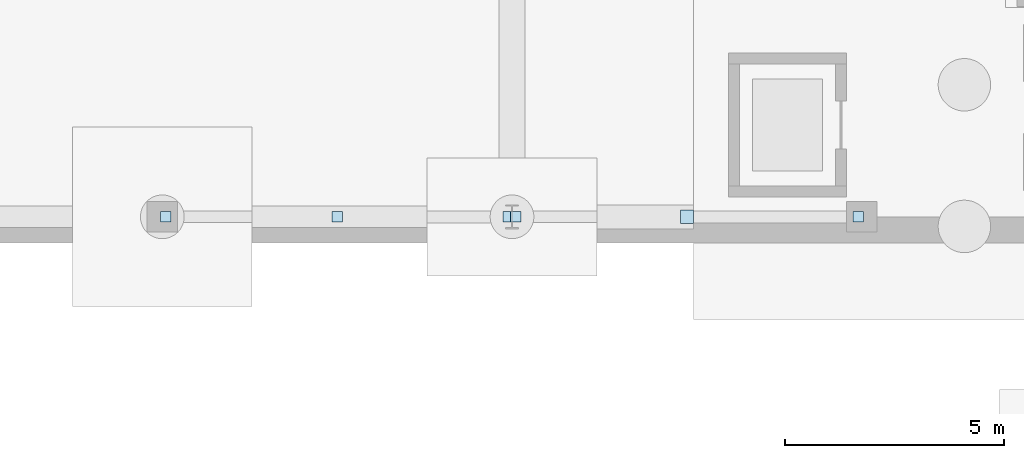
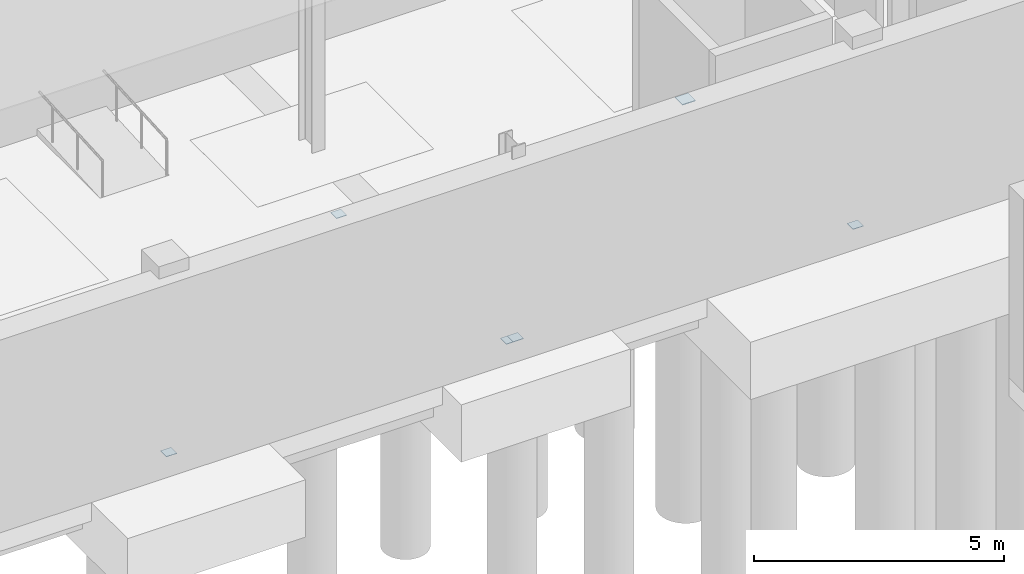
# One storey, part 19 of 47: 6 plates.
"""IFC4 building model written with IfcOpenShell, lengths in metres."""

import ifcopenshell
import ifcopenshell.guid

model = None  # the IFC model being written
_history = None  # IfcOwnerHistory: only IFC2X3 demands one
_inside = {}  # id of a spatial element -> (the spatial element, [elements in it])
_under = {}  # id of a project, library or spatial element -> (it, [spatial elements below it])
_declared = {}  # id of a project -> (the project, [libraries it declares])
_typed = {}  # id of a type object -> (the type object, [elements of that type])
_made_of = {}  # id of a material, layer set ... -> (it, [elements and type objects made of it])


def new_model(schema):
    """Start an empty IFC model of exactly this schema.

    Asked for "IFC4X3", IfcOpenShell would pick the latest addendum, in which some entities
    have other attributes; the version numbers below select the first issue.
    IFC2X3 requires an IfcOwnerHistory on every rooted entity: one is made here for all.
    """
    global model, _history
    if schema == "IFC4X3":
        model = ifcopenshell.file(schema_version=(4, 3, 0, 0))
    else:
        model = ifcopenshell.file(schema=schema)
    _inside.clear()
    _under.clear()
    _declared.clear()
    _typed.clear()
    _made_of.clear()
    _history = None
    if model.schema == "IFC2X3":
        org = make("IfcOrganization", Name="unknown")
        user = make(
            "IfcPersonAndOrganization",
            ThePerson=make("IfcPerson", FamilyName="unknown"),
            TheOrganization=org,
        )
        app = make(
            "IfcApplication",
            ApplicationDeveloper=org,
            Version="unknown",
            ApplicationFullName="unknown",
            ApplicationIdentifier="unknown",
        )
        _history = make(
            "IfcOwnerHistory",
            OwningUser=user,
            OwningApplication=app,
            ChangeAction="ADDED",
            CreationDate=0,
        )
    return model


def make(cls, **values):
    """One entity of the class cls with the attributes given. An attribute that is None is left unset."""
    return model.create_entity(
        cls, **{name: value for name, value in values.items() if value is not None}
    )


def rooted(cls, **values):
    """An entity with a GlobalId (a new one), such as an element, a storey or a relation."""
    return make(cls, GlobalId=ifcopenshell.guid.new(), OwnerHistory=_history, **values)


def si_unit(unit_type, name, prefix=None):
    """IfcSIUnit, for example si_unit("LENGTHUNIT", "METRE", prefix="MILLI")."""
    return make("IfcSIUnit", UnitType=unit_type, Prefix=prefix, Name=name)


def assignment(units):
    """IfcUnitAssignment: the units of a project."""
    return None if units is None else make("IfcUnitAssignment", Units=units)


def point(xyz):
    """IfcCartesianPoint."""
    return None if xyz is None else make("IfcCartesianPoint", Coordinates=xyz)


def direction(xyz):
    """IfcDirection."""
    return None if xyz is None else make("IfcDirection", DirectionRatios=xyz)


def frame(location, z_axis=None, x_axis=None):
    """IfcAxis2Placement3D, a coordinate frame: its origin and axes. An axis left out is left unset."""
    return make(
        "IfcAxis2Placement3D",
        Location=point(location),
        Axis=direction(z_axis),
        RefDirection=direction(x_axis),
    )


def frame_2d(location, x_axis=None):
    """IfcAxis2Placement2D, a coordinate frame in the plane: its origin and x axis."""
    return make(
        "IfcAxis2Placement2D", Location=point(location), RefDirection=direction(x_axis)
    )


def origin():
    """The frame at (0, 0, 0) with its axes left unset."""
    return frame((0.0, 0.0, 0.0))


def origin_2d():
    """The frame at (0, 0) in the plane with its x axis left unset."""
    return frame_2d((0.0, 0.0))


def place(relative_to, where):
    """IfcLocalPlacement: puts the frame where relative to a parent placement (None: the world)."""
    return make(
        "IfcLocalPlacement", PlacementRelTo=relative_to, RelativePlacement=where
    )


def context(
    kind, dimensions, precision=None, world=None, true_north=None, identifier=None
):
    """IfcGeometricRepresentationContext, for example the 3D "Model" context."""
    return make(
        "IfcGeometricRepresentationContext",
        ContextIdentifier=identifier,
        ContextType=kind,
        CoordinateSpaceDimension=dimensions,
        Precision=precision,
        WorldCoordinateSystem=world,
        TrueNorth=true_north,
    )


def subcontext(parent, identifier, kind, view, scale=None):
    """IfcGeometricRepresentationSubContext, for example "Body" below "Model"."""
    return make(
        "IfcGeometricRepresentationSubContext",
        ContextIdentifier=identifier,
        ContextType=kind,
        ParentContext=parent,
        TargetScale=scale,
        TargetView=view,
    )


def project(units=None, contexts=None):
    """IfcProject with its units and contexts."""
    return rooted(
        "IfcProject",
        Name="project",
        RepresentationContexts=contexts,
        UnitsInContext=assignment(units),
    )


def spatial(cls, under=None, at=None, **own):
    """A site, building, storey or space (cls), placed at a placement, below another one or the project."""
    s = rooted(cls, ObjectPlacement=at, **own)
    if under is not None:
        _under.setdefault(under.id(), (under, []))[1].append(s)
    return s


def profile(cls, at=None, kind="AREA", **sizes):
    """A parametric profile (cls). Its sizes go by their IFC names, for example OverallWidth=200.0."""
    return make(cls, ProfileType=kind, Position=at, **sizes)


def rectangle(**sizes):
    """IfcRectangleProfileDef."""
    return profile("IfcRectangleProfileDef", **sizes)


def extrude(swept, where, along, depth):
    """IfcExtrudedAreaSolid: the profile swept, set in the frame where, extruded along a direction by depth."""
    return make(
        "IfcExtrudedAreaSolid",
        SweptArea=swept,
        Position=where,
        ExtrudedDirection=direction(along),
        Depth=depth,
    )


def shape(context_of_items, identifier, shape_type, items):
    """IfcShapeRepresentation: the items that make up one representation, for example the "Body"."""
    return make(
        "IfcShapeRepresentation",
        ContextOfItems=context_of_items,
        RepresentationIdentifier=identifier,
        RepresentationType=shape_type,
        Items=items,
    )


def material(Name=None, Category=None):
    """IfcMaterial."""
    return make("IfcMaterial", Name=Name, Category=Category)


def layer(
    of_material, thickness, ventilated=None, Name=None, Category=None, Priority=None
):
    """IfcMaterialLayer: one layer of a wall or slab, of a material (None: an air gap)."""
    return make(
        "IfcMaterialLayer",
        Material=of_material,
        LayerThickness=thickness,
        IsVentilated=ventilated,
        Name=Name,
        Category=Category,
        Priority=Priority,
    )


def layer_set(layers, Name=None):
    """IfcMaterialLayerSet."""
    return make("IfcMaterialLayerSet", MaterialLayers=layers, LayerSetName=Name)


def made_of(thing, what):
    """Note that an element or type object is made of a material, layer set ...; save() writes the relation."""
    if what is not None:
        _made_of.setdefault(what.id(), (what, []))[1].append(thing)
    return thing


def type_object(cls, material=None, **own):
    """A type object (cls), such as IfcWallType, which elements share."""
    return made_of(rooted(cls, **own), material)


def element(
    cls,
    number,
    at=None,
    inside=None,
    cuts=None,
    type_object=None,
    material=None,
    context=None,
    identifier="Body",
    shape_type=None,
    held_by="IfcProductDefinitionShape",
    body=None,
    shapes=None,
    **own,
):
    """One element of the class cls, such as IfcWall. Its Tag is "e" and its number.

    at: its placement. inside: the storey or other place that contains it. cuts: it is an
    opening in that element (IfcRelVoidsElement). A single representation is given by context,
    identifier, shape_type and body (its items); several are given by shapes. held_by: the class
    of the entity that holds the representations. save() writes the other relations.
    """
    e = rooted(cls, Tag="e%d" % number, ObjectPlacement=at, **own)
    if body is not None:
        shapes = [shape(context, identifier, shape_type, body)]
    if shapes is not None:
        e.Representation = make(held_by, Representations=shapes)
    if inside is not None:
        _inside.setdefault(inside.id(), (inside, []))[1].append(e)
    if cuts is not None:
        rooted(
            "IfcRelVoidsElement", RelatingBuildingElement=cuts, RelatedOpeningElement=e
        )
    if type_object is not None:
        _typed.setdefault(type_object.id(), (type_object, []))[1].append(e)
    return made_of(e, material)


def aggregate(whole, parts):
    """IfcRelAggregates: a whole, such as a stair, and the parts it consists of."""
    return rooted("IfcRelAggregates", RelatingObject=whole, RelatedObjects=parts)


def save(model, path):
    """Write the relations noted so far, then the file.

    IfcRelAggregates (storeys below a building ...), IfcRelContainedInSpatialStructure (elements
    in a storey), IfcRelDefinesByType, IfcRelAssociatesMaterial and IfcRelDeclares: one each for
    every whole, place, type object, material and project.
    """
    for whole, parts in _under.values():
        aggregate(whole, parts)
    for where, things in _inside.values():
        rooted(
            "IfcRelContainedInSpatialStructure",
            RelatedElements=things,
            RelatingStructure=where,
        )
    for kind, things in _typed.values():
        rooted("IfcRelDefinesByType", RelatedObjects=things, RelatingType=kind)
    for what, things in _made_of.values():
        rooted("IfcRelAssociatesMaterial", RelatedObjects=things, RelatingMaterial=what)
    for by, libraries in _declared.values():
        rooted("IfcRelDeclares", RelatingContext=by, RelatedDefinitions=libraries)
    model.write(path)


model = new_model("IFC4")

# Units and contexts
model_context = context("Model", 3, precision=1e-05, world=origin(), true_north=direction((0.0, 1.0)))
body_context = subcontext(model_context, "Body", "Model", "MODEL_VIEW")
ifc_project = project(units=[si_unit("LENGTHUNIT", "METRE"), si_unit("AREAUNIT", "SQUARE_METRE"), si_unit("VOLUMEUNIT", "CUBIC_METRE"), si_unit("PLANEANGLEUNIT", "RADIAN"), si_unit("MASSUNIT", "GRAM", prefix="KILO")], contexts=[model_context])

# Site, building, storey
site_placement = place(None, origin())
site = spatial("IfcSite", under=ifc_project, at=site_placement, CompositionType="ELEMENT")
building_placement = place(site_placement, origin())
building = spatial("IfcBuilding", under=site, at=building_placement, Name="Cymarion Research Institute", CompositionType="ELEMENT")
storey_placement = place(building_placement, frame((0.0, 0.0, -5.0)))
storey = spatial("IfcBuildingStorey", under=building, at=storey_placement, Name="B1", CompositionType="ELEMENT", Elevation=-5.0)

# Plates
ifc_material = material(Name="Steel S355", Category="steel")
ifc_layer_1 = layer(ifc_material, 0.01806640625)
ifc_layer_set_1 = layer_set([ifc_layer_1], Name="Steel S355")
plate_type_1 = type_object("IfcPlateType", Name="STEEL NODE GUSSET PLATE CP01 18MM", PredefinedType="USERDEFINED", material=ifc_layer_set_1)
plate_placement = place(storey_placement, frame((26.60009765625, 47.5, 4.551025390625), z_axis=(0.0, 0.0, 1.0), x_axis=(1.0, 0.0, 0.0)))
element("IfcPlate", 1, at=plate_placement, inside=storey, type_object=plate_type_1, Name="B1 V4 chevron apex gusset plate", ObjectType="GUSSET PLATE", PredefinedType="USERDEFINED", context=body_context, shape_type="SweptSolid", body=[
    extrude(rectangle(XDim=0.300048828125, YDim=0.300048828125, at=origin_2d()), origin(), (0.0, 0.0, 1.0), 0.01806640625),
])
ifc_layer_2 = layer(ifc_material, 0.011962890625)
ifc_layer_set_2 = layer_set([ifc_layer_2], Name="Steel S355")
plate_type_2 = type_object("IfcPlateType", Name="STEEL NODE GUSSET PLATE CP02 12MM", PredefinedType="USERDEFINED", material=ifc_layer_set_2)
for number, where, z_axis, x_axis, name in (
    (2, (18.60009765625, 47.5, 4.55419921875), (0.0, 0.0, 1.0), (1.0, 0.0, 0.0), "B1 V4 chevron apex gusset plate"),
    (3, (14.680419921875, 47.5, 0.1142578125), (0.0, 0.0, 1.0), (1.0, 0.0, 0.0), "B1 V4 chevron base gusset plate #1"),
    (4, (22.519775390625, 47.5, 0.1142578125), (0.0, 0.0, 1.0), (1.0, 0.0, 0.0), "B1 V4 chevron base gusset plate #2"),
    (5, (22.680419921875, 47.5, 0.1142578125), (0.0, 0.0, 1.0), (1.0, 0.0, 0.0), "B1 V4 chevron base gusset plate #1"),
    (6, (30.519775390625, 47.5, 0.1142578125), (0.0, 0.0, 1.0), (1.0, 0.0, 0.0), "B1 V4 chevron base gusset plate #2"),
):
    element("IfcPlate", number, at=place(storey_placement, frame(where, z_axis=z_axis, x_axis=x_axis)), inside=storey, type_object=plate_type_2, Name=name, ObjectType="GUSSET PLATE", PredefinedType="USERDEFINED", context=body_context, shape_type="SweptSolid", body=[
        extrude(rectangle(XDim=0.239990234375, YDim=0.239990234375, at=origin_2d()), origin(), (0.0, 0.0, 1.0), 0.011962890625),
    ])

save(model, "model.ifc")
